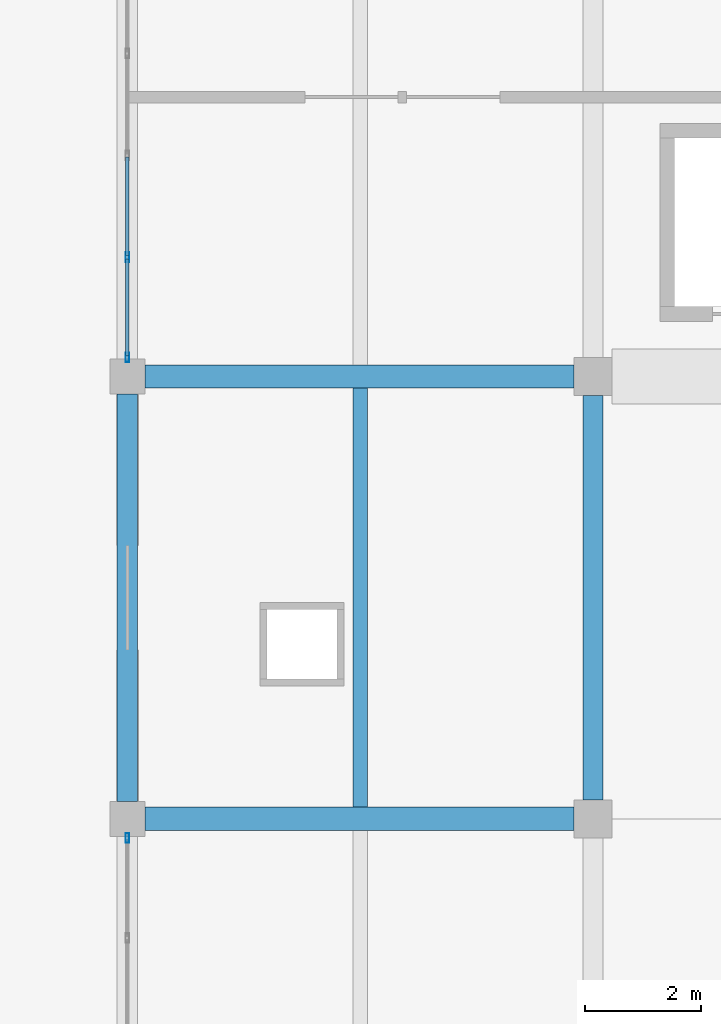
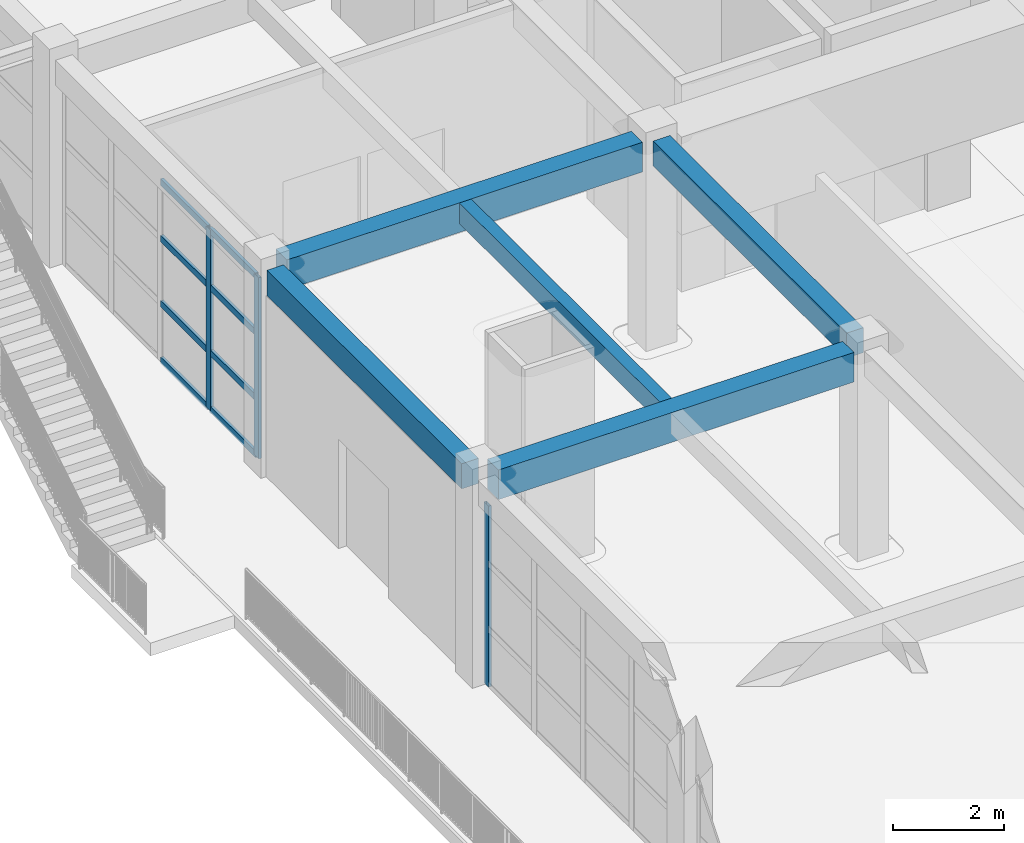
# One storey, part 10 of 50: 11 members, 5 beams, 2 elements without a shape of their own.
"""IFC4 building model written with IfcOpenShell, lengths in metres."""

from ifc_helpers import new_model, si_unit, direction, frame, origin, origin_2d, place, context, subcontext, project, spatial, rectangle, hollow_rectangle, extrude, material, material_profile, profile_set, type_object, element, aggregate, save


model = new_model("IFC4")

# Units and contexts
model_context = context("Model", 3, precision=1e-05, world=origin(), true_north=direction((0.0, 1.0)))
body_context = subcontext(model_context, "Body", "Model", "MODEL_VIEW")
ifc_project = project(units=[si_unit("LENGTHUNIT", "METRE"), si_unit("AREAUNIT", "SQUARE_METRE"), si_unit("VOLUMEUNIT", "CUBIC_METRE"), si_unit("PLANEANGLEUNIT", "RADIAN"), si_unit("MASSUNIT", "GRAM", prefix="KILO")], contexts=[model_context])

# Site, building, storey
site_placement = place(None, origin())
site = spatial("IfcSite", under=ifc_project, at=site_placement, CompositionType="ELEMENT")
building_placement = place(site_placement, origin())
building = spatial("IfcBuilding", under=site, at=building_placement, Name="Zantavel Square City Hall", CompositionType="ELEMENT")
storey_placement = place(building_placement, frame((0.0, 0.0, 18.89990234375)))
storey = spatial("IfcBuildingStorey", under=building, at=storey_placement, Name="L05", CompositionType="ELEMENT", Elevation=18.89990234375)

# Curtain wall, member
ifc_material_1 = material(Name="Anodised aluminium 6063-T6", Category="aluminium")
curtain_wall_type = type_object("IfcCurtainWallType", Name="Curtain Wall TRV1 7000x3970", PredefinedType="USERDEFINED", material=ifc_material_1)
curtain_wall_1_placement = place(storey_placement, origin())
curtain_wall_1 = element("IfcCurtainWall", 1, at=curtain_wall_1_placement, inside=storey, type_object=curtain_wall_type, Name="L05 Glazed Curtain Wall CW-L05-141", ObjectType="GLAZED CURTAIN WALL", PredefinedType="USERDEFINED")
ifc_material_profile_1 = material_profile(ifc_material_1, hollow_rectangle(XDim=0.06005859375, YDim=0.1650390625, WallThickness=0.00390625, at=origin_2d()), Name="ALU 60x165x4")
ifc_profile_set_1 = profile_set([ifc_material_profile_1], Name="Anodised aluminium 6063-T6")
member_type_1 = type_object("IfcMemberType", Name="CW Council Gallery Mullion ALU 60x165x4", PredefinedType="MULLION", material=ifc_profile_set_1)
member_1_placement = place(storey_placement, frame((56.0, 45.27001953125, 0.0), z_axis=(0.0, 0.0, 1.0), x_axis=(-1.0, 0.0, 0.0)))
member_1 = element("IfcMember", 2, at=member_1_placement, type_object=member_type_1, Name="CW-141 mullion 5", PredefinedType="MULLION", context=body_context, shape_type="SweptSolid", body=[
    extrude(hollow_rectangle(XDim=0.06005859375, YDim=0.1650390625, WallThickness=0.00390625, at=origin_2d()), origin(), (0.0, 0.0, 1.0), 3.97021484375),
])
aggregate(curtain_wall_1, [member_1])

# Curtain wall, members
curtain_wall_2_placement = place(storey_placement, origin())
curtain_wall_2 = element("IfcCurtainWall", 3, at=curtain_wall_2_placement, inside=storey, type_object=curtain_wall_type, Name="L05 Glazed Curtain Wall CW-L05-142", ObjectType="GLAZED CURTAIN WALL", PredefinedType="USERDEFINED")
member_2_placement = place(storey_placement, frame((56.0, 53.530029296875, 0.0), z_axis=(0.0, 0.0, 1.0), x_axis=(-1.0, 0.0, 0.0)))
member_2 = element("IfcMember", 4, at=member_2_placement, type_object=member_type_1, Name="CW-142 mullion 1", PredefinedType="MULLION", context=body_context, shape_type="SweptSolid", body=[
    extrude(hollow_rectangle(XDim=0.06005859375, YDim=0.1650390625, WallThickness=0.00390625, at=origin_2d()), origin(), (0.0, 0.0, 1.0), 3.97021484375),
])
member_3_placement = place(storey_placement, frame((56.0, 55.25, 0.0), z_axis=(0.0, 0.0, 1.0), x_axis=(-1.0, 0.0, 0.0)))
member_3 = element("IfcMember", 5, at=member_3_placement, type_object=member_type_1, Name="CW-142 mullion 2", PredefinedType="MULLION", context=body_context, shape_type="SweptSolid", body=[
    extrude(hollow_rectangle(XDim=0.06005859375, YDim=0.1650390625, WallThickness=0.00390625, at=origin_2d()), origin(), (0.0, 0.0, 1.0), 3.97021484375),
])
ifc_material_profile_2 = material_profile(ifc_material_1, hollow_rectangle(XDim=0.06005859375, YDim=0.139892578125, WallThickness=0.00390625, at=origin_2d()), Name="ALU 60x140x4")
ifc_profile_set_2 = profile_set([ifc_material_profile_2], Name="Anodised aluminium 6063-T6")
member_type_2 = type_object("IfcMemberType", Name="CW Transom ALU 60x140x4", PredefinedType="USERDEFINED", material=ifc_profile_set_2)
member_4_placement = place(storey_placement, frame((56.0, 53.56005859375, 0.030029296875), z_axis=(0.0, 1.0, 0.0), x_axis=(-1.0, 0.0, 0.0)))
member_4 = element("IfcMember", 6, at=member_4_placement, type_object=member_type_2, Name="CW-142 transom 1.1", ObjectType="TRANSOM", PredefinedType="USERDEFINED", context=body_context, shape_type="SweptSolid", body=[
    extrude(hollow_rectangle(XDim=0.06005859375, YDim=0.139892578125, WallThickness=0.00390625, at=origin_2d()), origin(), (0.0, 0.0, 1.0), 1.659912109375),
])
member_5_placement = place(storey_placement, frame((56.0, 53.56005859375, 1.27001953125), z_axis=(0.0, 1.0, 0.0), x_axis=(-1.0, 0.0, 0.0)))
member_5 = element("IfcMember", 7, at=member_5_placement, type_object=member_type_2, Name="CW-142 transom 1.2", ObjectType="TRANSOM", PredefinedType="USERDEFINED", context=body_context, shape_type="SweptSolid", body=[
    extrude(hollow_rectangle(XDim=0.06005859375, YDim=0.139892578125, WallThickness=0.00390625, at=origin_2d()), origin(), (0.0, 0.0, 1.0), 1.659912109375),
])
member_6_placement = place(storey_placement, frame((56.0, 53.56005859375, 2.7001953125), z_axis=(0.0, 1.0, 0.0), x_axis=(-1.0, 0.0, 0.0)))
member_6 = element("IfcMember", 8, at=member_6_placement, type_object=member_type_2, Name="CW-142 transom 1.3", ObjectType="TRANSOM", PredefinedType="USERDEFINED", context=body_context, shape_type="SweptSolid", body=[
    extrude(hollow_rectangle(XDim=0.06005859375, YDim=0.139892578125, WallThickness=0.00390625, at=origin_2d()), origin(), (0.0, 0.0, 1.0), 1.659912109375),
])
member_7_placement = place(storey_placement, frame((56.0, 53.56005859375, 3.940185546875), z_axis=(0.0, 1.0, 0.0), x_axis=(-1.0, 0.0, 0.0)))
member_7 = element("IfcMember", 9, at=member_7_placement, type_object=member_type_2, Name="CW-142 transom 1.4", ObjectType="TRANSOM", PredefinedType="USERDEFINED", context=body_context, shape_type="SweptSolid", body=[
    extrude(hollow_rectangle(XDim=0.06005859375, YDim=0.139892578125, WallThickness=0.00390625, at=origin_2d()), origin(), (0.0, 0.0, 1.0), 1.659912109375),
])
member_8_placement = place(storey_placement, frame((56.0, 55.280029296875, 0.030029296875), z_axis=(0.0, 1.0, 0.0), x_axis=(-1.0, 0.0, 0.0)))
member_8 = element("IfcMember", 10, at=member_8_placement, type_object=member_type_2, Name="CW-142 transom 2.1", ObjectType="TRANSOM", PredefinedType="USERDEFINED", context=body_context, shape_type="SweptSolid", body=[
    extrude(hollow_rectangle(XDim=0.06005859375, YDim=0.139892578125, WallThickness=0.00390625, at=origin_2d()), origin(), (0.0, 0.0, 1.0), 1.68994140625),
])
member_9_placement = place(storey_placement, frame((56.0, 55.280029296875, 1.27001953125), z_axis=(0.0, 1.0, 0.0), x_axis=(-1.0, 0.0, 0.0)))
member_9 = element("IfcMember", 11, at=member_9_placement, type_object=member_type_2, Name="CW-142 transom 2.2", ObjectType="TRANSOM", PredefinedType="USERDEFINED", context=body_context, shape_type="SweptSolid", body=[
    extrude(hollow_rectangle(XDim=0.06005859375, YDim=0.139892578125, WallThickness=0.00390625, at=origin_2d()), origin(), (0.0, 0.0, 1.0), 1.68994140625),
])
member_10_placement = place(storey_placement, frame((56.0, 55.280029296875, 2.7001953125), z_axis=(0.0, 1.0, 0.0), x_axis=(-1.0, 0.0, 0.0)))
member_10 = element("IfcMember", 12, at=member_10_placement, type_object=member_type_2, Name="CW-142 transom 2.3", ObjectType="TRANSOM", PredefinedType="USERDEFINED", context=body_context, shape_type="SweptSolid", body=[
    extrude(hollow_rectangle(XDim=0.06005859375, YDim=0.139892578125, WallThickness=0.00390625, at=origin_2d()), origin(), (0.0, 0.0, 1.0), 1.68994140625),
])
member_11_placement = place(storey_placement, frame((56.0, 55.280029296875, 3.940185546875), z_axis=(0.0, 1.0, 0.0), x_axis=(-1.0, 0.0, 0.0)))
member_11 = element("IfcMember", 13, at=member_11_placement, type_object=member_type_2, Name="CW-142 transom 2.4", ObjectType="TRANSOM", PredefinedType="USERDEFINED", context=body_context, shape_type="SweptSolid", body=[
    extrude(hollow_rectangle(XDim=0.06005859375, YDim=0.139892578125, WallThickness=0.00390625, at=origin_2d()), origin(), (0.0, 0.0, 1.0), 1.68994140625),
])
aggregate(curtain_wall_2, [member_2, member_3, member_4, member_5, member_6, member_7, member_8, member_9, member_10, member_11])

# Beams
ifc_material_2 = material(Name="Concrete C35/45", Category="concrete")
ifc_material_profile_3 = material_profile(ifc_material_2, rectangle(XDim=0.39990234375, YDim=0.64990234375, at=origin_2d()), Name="RC 400x650")
ifc_profile_set_3 = profile_set([ifc_material_profile_3], Name="Concrete C35/45")
beam_type_1 = type_object("IfcBeamType", Name="Frame Beam RC 400x650 C35/45", PredefinedType="BEAM", material=ifc_profile_set_3)
for number, where, z_axis, x_axis, name in (
    (14, (56.300048828125, 45.60009765625, 4.195068359375), (1.0, 0.0, 0.0), (0.0, 1.0, 0.0), "L05 Girder BMX-L05-0560-0456"),
    (15, (56.300048828125, 53.199951171875, 4.195068359375), (1.0, 0.0, 0.0), (0.0, 1.0, 0.0), "L05 Girder BMX-L05-0560-0532"),
):
    element("IfcBeam", number, at=place(storey_placement, frame(where, z_axis=z_axis, x_axis=x_axis)), inside=storey, type_object=beam_type_1, Name=name, PredefinedType="BEAM", context=body_context, shape_type="SweptSolid", body=[
        extrude(rectangle(XDim=0.39990234375, YDim=0.64990234375, at=origin_2d()), origin(), (0.0, 0.0, 1.0), 7.375),
    ])
ifc_material_profile_4 = material_profile(ifc_material_2, rectangle(XDim=0.25, YDim=0.449951171875, at=origin_2d()), Name="RC 250x450")
ifc_profile_set_4 = profile_set([ifc_material_profile_4], Name="Concrete C35/45")
beam_type_2 = type_object("IfcBeamType", Name="Light Floor Joist RC 250x450 C35/45", PredefinedType="JOIST", material=ifc_profile_set_4)
beam_1_placement = place(storey_placement, frame((60.0, 45.800048828125, 4.295166015625), z_axis=(0.0, 1.0, 0.0), x_axis=(-1.0, 0.0, 0.0)))
element("IfcBeam", 16, at=beam_1_placement, inside=storey, type_object=beam_type_2, Name="L05 Floor Joist JST-L05-0600-0456", PredefinedType="JOIST", context=body_context, shape_type="SweptSolid", body=[
    extrude(rectangle(XDim=0.25, YDim=0.449951171875, at=origin_2d()), origin(), (0.0, 0.0, 1.0), 7.199951171875),
])
ifc_material_profile_5 = material_profile(ifc_material_2, rectangle(XDim=0.35009765625, YDim=0.550048828125, at=origin_2d()), Name="RC 350x550")
ifc_profile_set_5 = profile_set([ifc_material_profile_5], Name="Concrete C35/45")
beam_type_3 = type_object("IfcBeamType", Name="Secondary Beam RC 350x550 C35/45", PredefinedType="BEAM", material=ifc_profile_set_5)
beam_2_placement = place(storey_placement, frame((56.0, 45.89990234375, 4.2451171875), z_axis=(0.0, 1.0, 0.0), x_axis=(-1.0, 0.0, 0.0)))
element("IfcBeam", 17, at=beam_2_placement, inside=storey, type_object=beam_type_3, Name="L05 Beam BMY-L05-0560-0456", PredefinedType="BEAM", context=body_context, shape_type="SweptSolid", body=[
    extrude(rectangle(XDim=0.35009765625, YDim=0.550048828125, at=origin_2d()), origin(), (0.0, 0.0, 1.0), 7.0),
])
beam_3_placement = place(storey_placement, frame((64.0, 45.925048828125, 4.295166015625), z_axis=(0.0, 1.0, 0.0), x_axis=(-1.0, 0.0, 0.0)))
element("IfcBeam", 18, at=beam_3_placement, inside=storey, type_object=beam_type_3, Name="L05 Beam BMY-L05-0640-0456", PredefinedType="BEAM", context=body_context, shape_type="SweptSolid", body=[
    extrude(rectangle(XDim=0.35009765625, YDim=0.550048828125, at=origin_2d()), origin(), (0.0, 0.0, 1.0), 6.949951171875),
])

save(model, "model.ifc")
